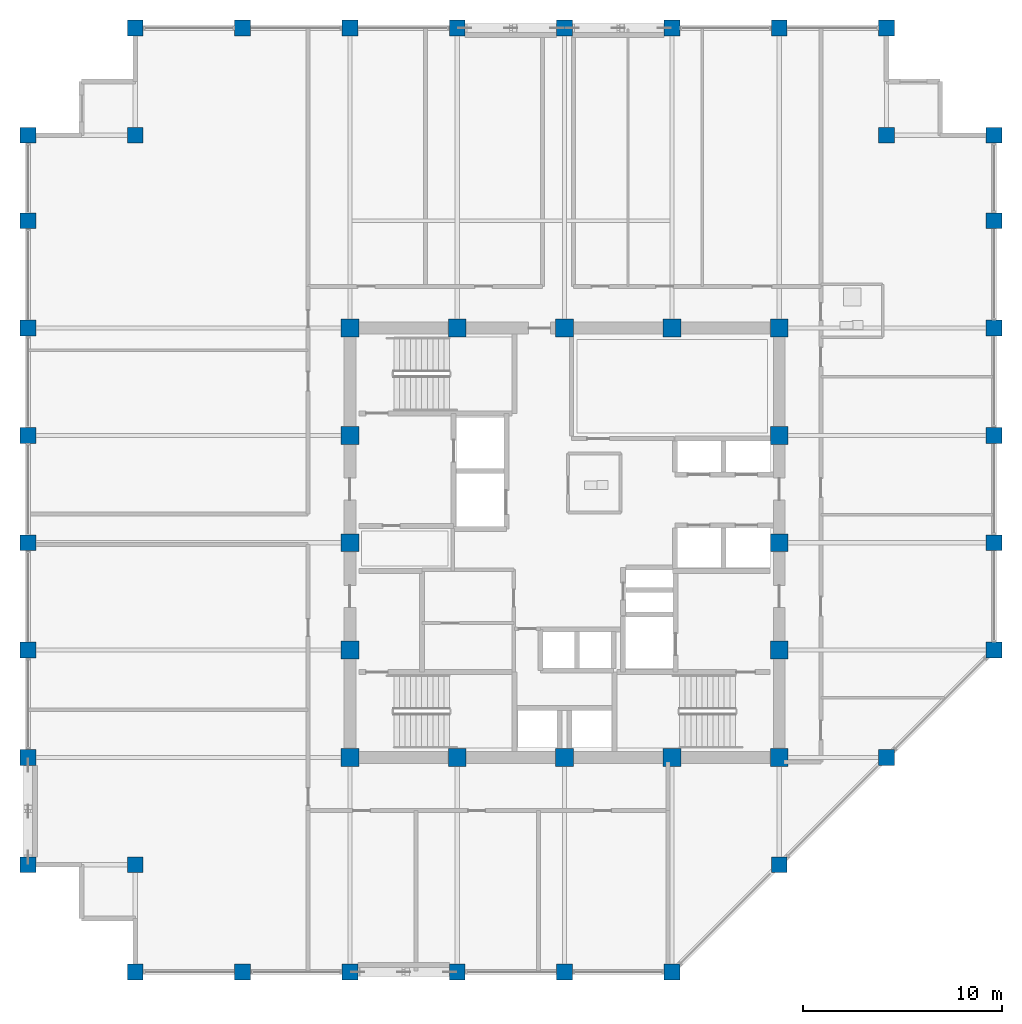
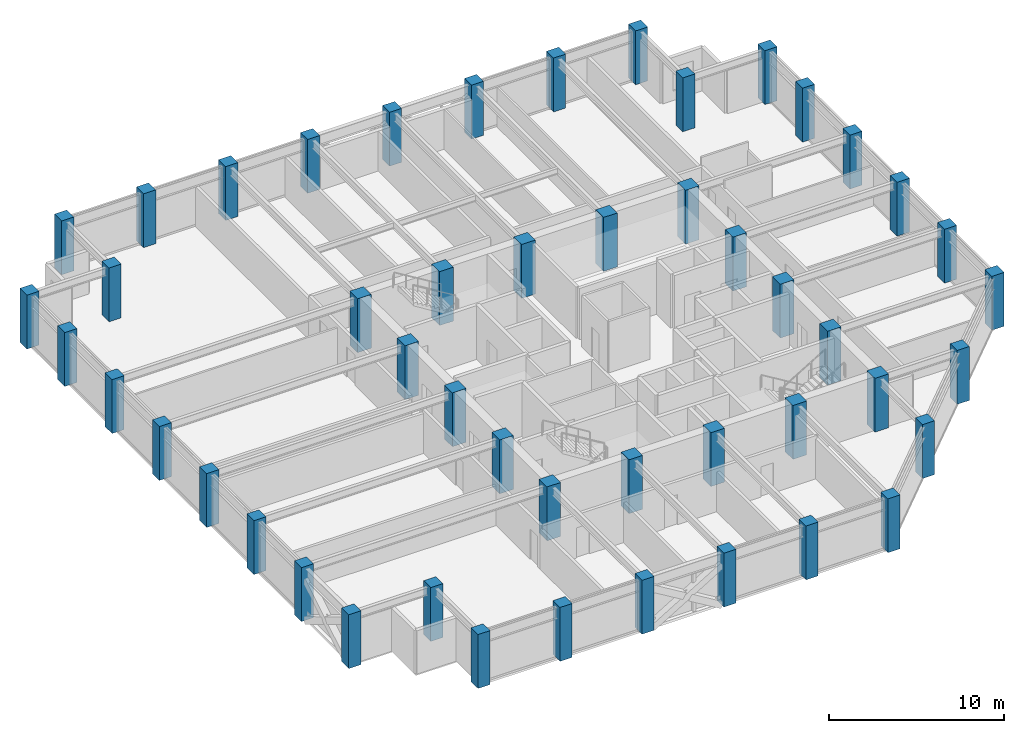
# One storey, part 1 of 32: 49 columns.
"""IFC4 building model written with IfcOpenShell, lengths in metres."""

from ifc_helpers import new_model, si_unit, direction, frame, origin, origin_2d, place, context, subcontext, project, spatial, rectangle, extrude, material, material_profile, profile_set, type_object, element, save


model = new_model("IFC4")

# Units and contexts
model_context = context("Model", 3, precision=1e-05, world=origin(), true_north=direction((0.0, 1.0)))
body_context = subcontext(model_context, "Body", "Model", "MODEL_VIEW")
ifc_project = project(units=[si_unit("LENGTHUNIT", "METRE"), si_unit("AREAUNIT", "SQUARE_METRE"), si_unit("VOLUMEUNIT", "CUBIC_METRE"), si_unit("PLANEANGLEUNIT", "RADIAN"), si_unit("MASSUNIT", "GRAM", prefix="KILO")], contexts=[model_context])

# Site, building, storey
site_placement = place(None, origin())
site = spatial("IfcSite", under=ifc_project, at=site_placement, CompositionType="ELEMENT")
building_placement = place(site_placement, origin())
building = spatial("IfcBuilding", under=site, at=building_placement, Name="Surkhivell Harbour Commons", CompositionType="ELEMENT")
storey_placement = place(building_placement, frame((0.0, 0.0, 223.5)))
storey = spatial("IfcBuildingStorey", under=building, at=storey_placement, Name="L58", CompositionType="ELEMENT", Elevation=223.5)

# Columns
ifc_material_1 = material(Name="Concrete C60/75", Category="concrete")
ifc_material_profile_1 = material_profile(ifc_material_1, rectangle(XDim=0.89990234375, YDim=0.89990234375, at=origin_2d()), Name="RC-COL-900x900")
ifc_profile_set_1 = profile_set([ifc_material_profile_1], Name="Concrete C60/75")
column_type_1 = type_object("IfcColumnType", Name="COL-TUBE-Z3A", PredefinedType="COLUMN", material=ifc_profile_set_1)
for number, where, z_axis, x_axis, name in (
    (1, (-10.800048828125, -10.800048828125, 0.0), (0.0, 0.0, 1.0), (1.0, 0.0, 0.0), "L58 Column CT-3A (-10.8,-10.8)"),
    (2, (-10.800048828125, -5.39990234375, 0.0), (0.0, 0.0, 1.0), (1.0, 0.0, 0.0), "L58 Column CT-3A (-10.8,-5.4)"),
    (3, (-10.800048828125, 0.0, 0.0), (0.0, 0.0, 1.0), (1.0, 0.0, 0.0), "L58 Column CT-3A (-10.8,0.0)"),
    (4, (-10.800048828125, 5.39990234375, 0.0), (0.0, 0.0, 1.0), (1.0, 0.0, 0.0), "L58 Column CT-3A (-10.8,5.4)"),
    (5, (-10.800048828125, 10.800048828125, 0.0), (0.0, 0.0, 1.0), (1.0, 0.0, 0.0), "L58 Column CT-3A (-10.8,10.8)"),
    (6, (-5.39990234375, -10.800048828125, 0.0), (0.0, 0.0, 1.0), (1.0, 0.0, 0.0), "L58 Column CT-3A (-5.4,-10.8)"),
    (7, (-5.39990234375, 10.800048828125, 0.0), (0.0, 0.0, 1.0), (1.0, 0.0, 0.0), "L58 Column CT-3A (-5.4,10.8)"),
    (8, (0.0, -10.800048828125, 0.0), (0.0, 0.0, 1.0), (1.0, 0.0, 0.0), "L58 Column CT-3A (0.0,-10.8)"),
    (9, (0.0, 10.800048828125, 0.0), (0.0, 0.0, 1.0), (1.0, 0.0, 0.0), "L58 Column CT-3A (0.0,10.8)"),
    (10, (5.39990234375, -10.800048828125, 0.0), (0.0, 0.0, 1.0), (1.0, 0.0, 0.0), "L58 Column CT-3A (5.4,-10.8)"),
    (11, (5.39990234375, 10.800048828125, 0.0), (0.0, 0.0, 1.0), (1.0, 0.0, 0.0), "L58 Column CT-3A (5.4,10.8)"),
    (12, (10.800048828125, -10.800048828125, 0.0), (0.0, 0.0, 1.0), (1.0, 0.0, 0.0), "L58 Column CT-3A (10.8,-10.8)"),
    (13, (10.800048828125, -5.39990234375, 0.0), (0.0, 0.0, 1.0), (1.0, 0.0, 0.0), "L58 Column CT-3A (10.8,-5.4)"),
    (14, (10.800048828125, 0.0, 0.0), (0.0, 0.0, 1.0), (1.0, 0.0, 0.0), "L58 Column CT-3A (10.8,0.0)"),
    (15, (10.800048828125, 5.39990234375, 0.0), (0.0, 0.0, 1.0), (1.0, 0.0, 0.0), "L58 Column CT-3A (10.8,5.4)"),
    (16, (10.800048828125, 10.800048828125, 0.0), (0.0, 0.0, 1.0), (1.0, 0.0, 0.0), "L58 Column CT-3A (10.8,10.8)"),
):
    element("IfcColumn", number, at=place(storey_placement, frame(where, z_axis=z_axis, x_axis=x_axis)), inside=storey, type_object=column_type_1, Name=name, PredefinedType="COLUMN", context=body_context, shape_type="SweptSolid", body=[
        extrude(rectangle(XDim=0.89990234375, YDim=0.89990234375, at=origin_2d()), origin(), (0.0, 0.0, 1.0), 3.75),
    ])
ifc_material_2 = material(Name="Concrete C50/60", Category="concrete")
ifc_material_profile_2 = material_profile(ifc_material_2, rectangle(XDim=0.800048828125, YDim=0.800048828125, at=origin_2d()), Name="RC-COL-800x800")
ifc_profile_set_2 = profile_set([ifc_material_profile_2], Name="Concrete C50/60")
column_type_2 = type_object("IfcColumnType", Name="COL-TUBE-Z3B", PredefinedType="COLUMN", material=ifc_profile_set_2)
for number, where, z_axis, x_axis, name in (
    (17, (-27.0, -16.199951171875, 0.0), (0.0, 0.0, 1.0), (1.0, 0.0, 0.0), "L58 Column CT-3B (-27.0,-16.2)"),
    (18, (-27.0, -10.800048828125, 0.0), (0.0, 0.0, 1.0), (1.0, 0.0, 0.0), "L58 Column CT-3B (-27.0,-10.8)"),
    (19, (-27.0, -5.39990234375, 0.0), (0.0, 0.0, 1.0), (1.0, 0.0, 0.0), "L58 Column CT-3B (-27.0,-5.4)"),
    (20, (-27.0, 0.0, 0.0), (0.0, 0.0, 1.0), (1.0, 0.0, 0.0), "L58 Column CT-3B (-27.0,0.0)"),
    (21, (-27.0, 5.39990234375, 0.0), (0.0, 0.0, 1.0), (1.0, 0.0, 0.0), "L58 Column CT-3B (-27.0,5.4)"),
    (22, (-27.0, 10.800048828125, 0.0), (0.0, 0.0, 1.0), (1.0, 0.0, 0.0), "L58 Column CT-3B (-27.0,10.8)"),
    (23, (-27.0, 16.199951171875, 0.0), (0.0, 0.0, 1.0), (1.0, 0.0, 0.0), "L58 Column CT-3B (-27.0,16.2)"),
    (24, (-27.0, 20.5, 0.0), (0.0, 0.0, 1.0), (1.0, 0.0, 0.0), "L58 Column CT-3B (-27.0,20.5)"),
    (25, (-21.60009765625, -21.60009765625, 0.0), (0.0, 0.0, 1.0), (1.0, 0.0, 0.0), "L58 Column CT-3B (-21.6,-21.6)"),
    (26, (-21.60009765625, -16.199951171875, 0.0), (0.0, 0.0, 1.0), (1.0, 0.0, 0.0), "L58 Column CT-3B (-21.6,-16.2)"),
    (27, (-21.60009765625, 20.5, 0.0), (0.0, 0.0, 1.0), (1.0, 0.0, 0.0), "L58 Column CT-3B (-21.6,20.5)"),
    (28, (-21.60009765625, 25.89990234375, 0.0), (0.0, 0.0, 1.0), (1.0, 0.0, 0.0), "L58 Column CT-3B (-21.6,25.9)"),
    (29, (-16.199951171875, -21.60009765625, 0.0), (0.0, 0.0, 1.0), (1.0, 0.0, 0.0), "L58 Column CT-3B (-16.2,-21.6)"),
    (30, (-16.199951171875, 25.89990234375, 0.0), (0.0, 0.0, 1.0), (1.0, 0.0, 0.0), "L58 Column CT-3B (-16.2,25.9)"),
    (31, (-10.800048828125, -21.60009765625, 0.0), (0.0, 0.0, 1.0), (1.0, 0.0, 0.0), "L58 Column CT-3B (-10.8,-21.6)"),
    (32, (-10.800048828125, 25.89990234375, 0.0), (0.0, 0.0, 1.0), (1.0, 0.0, 0.0), "L58 Column CT-3B (-10.8,25.9)"),
    (33, (-5.39990234375, -21.60009765625, 0.0), (0.0, 0.0, 1.0), (1.0, 0.0, 0.0), "L58 Column CT-3B (-5.4,-21.6)"),
    (34, (-5.39990234375, 25.89990234375, 0.0), (0.0, 0.0, 1.0), (1.0, 0.0, 0.0), "L58 Column CT-3B (-5.4,25.9)"),
    (35, (0.0, -21.60009765625, 0.0), (0.0, 0.0, 1.0), (1.0, 0.0, 0.0), "L58 Column CT-3B (-0.0,-21.6)"),
    (36, (0.0, 25.89990234375, 0.0), (0.0, 0.0, 1.0), (1.0, 0.0, 0.0), "L58 Column CT-3B (-0.0,25.9)"),
    (37, (5.39990234375, -21.60009765625, 0.0), (0.0, 0.0, 1.0), (1.0, 0.0, 0.0), "L58 Column CT-3B (5.4,-21.6)"),
    (38, (5.39990234375, 25.89990234375, 0.0), (0.0, 0.0, 1.0), (1.0, 0.0, 0.0), "L58 Column CT-3B (5.4,25.9)"),
    (39, (10.800048828125, -16.199951171875, 0.0), (0.0, 0.0, 1.0), (1.0, 0.0, 0.0), "L58 Column CT-3B (10.8,-16.2)"),
    (40, (10.800048828125, 25.89990234375, 0.0), (0.0, 0.0, 1.0), (1.0, 0.0, 0.0), "L58 Column CT-3B (10.8,25.9)"),
    (41, (16.199951171875, -10.800048828125, 0.0), (0.0, 0.0, 1.0), (1.0, 0.0, 0.0), "L58 Column CT-3B (16.2,-10.8)"),
    (42, (16.199951171875, 20.5, 0.0), (0.0, 0.0, 1.0), (1.0, 0.0, 0.0), "L58 Column CT-3B (16.2,20.5)"),
    (43, (16.199951171875, 25.89990234375, 0.0), (0.0, 0.0, 1.0), (1.0, 0.0, 0.0), "L58 Column CT-3B (16.2,25.9)"),
    (44, (21.60009765625, -5.39990234375, 0.0), (0.0, 0.0, 1.0), (1.0, 0.0, 0.0), "L58 Column CT-3B (21.6,-5.4)"),
    (45, (21.60009765625, 0.0, 0.0), (0.0, 0.0, 1.0), (1.0, 0.0, 0.0), "L58 Column CT-3B (21.6,0.0)"),
    (46, (21.60009765625, 5.39990234375, 0.0), (0.0, 0.0, 1.0), (1.0, 0.0, 0.0), "L58 Column CT-3B (21.6,5.4)"),
    (47, (21.60009765625, 10.800048828125, 0.0), (0.0, 0.0, 1.0), (1.0, 0.0, 0.0), "L58 Column CT-3B (21.6,10.8)"),
    (48, (21.60009765625, 16.199951171875, 0.0), (0.0, 0.0, 1.0), (1.0, 0.0, 0.0), "L58 Column CT-3B (21.6,16.2)"),
    (49, (21.60009765625, 20.5, 0.0), (0.0, 0.0, 1.0), (1.0, 0.0, 0.0), "L58 Column CT-3B (21.6,20.5)"),
):
    element("IfcColumn", number, at=place(storey_placement, frame(where, z_axis=z_axis, x_axis=x_axis)), inside=storey, type_object=column_type_2, Name=name, PredefinedType="COLUMN", context=body_context, shape_type="SweptSolid", body=[
        extrude(rectangle(XDim=0.800048828125, YDim=0.800048828125, at=origin_2d()), origin(), (0.0, 0.0, 1.0), 3.75),
    ])

save(model, "model.ifc")
